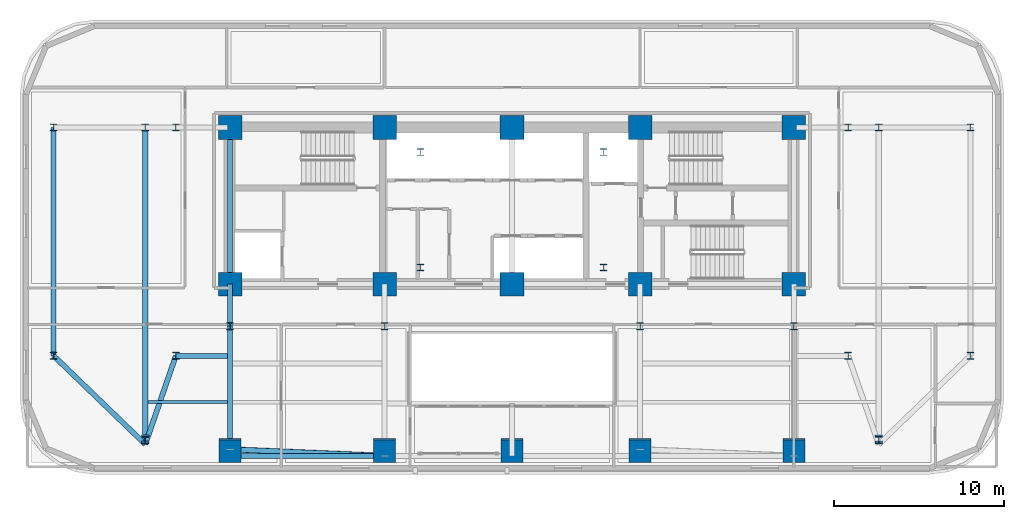
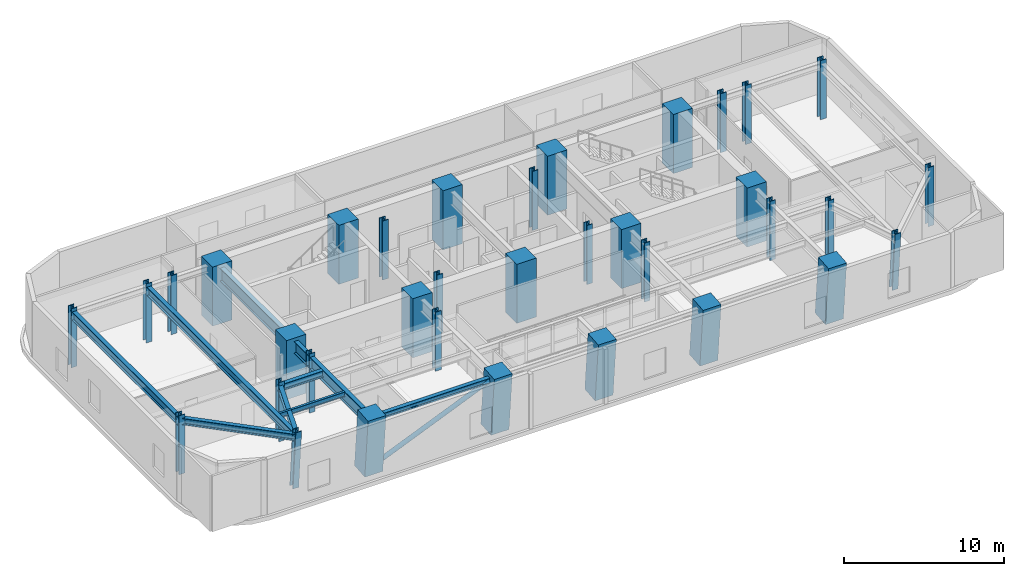
# One storey, part 1 of 14: 35 columns, 10 beams, 1 member.
"""IFC4 building model written with IfcOpenShell, lengths in metres."""

from ifc_helpers import new_model, si_unit, direction, frame, origin, origin_2d, place, context, subcontext, project, spatial, rectangle, hollow_circle, i_section, extrude, material, material_profile, profile_set, type_object, element, save


model = new_model("IFC4")

# Units and contexts
model_context = context("Model", 3, precision=1e-05, world=origin(), true_north=direction((0.0, 1.0)))
body_context = subcontext(model_context, "Body", "Model", "MODEL_VIEW")
ifc_project = project(units=[si_unit("LENGTHUNIT", "METRE"), si_unit("AREAUNIT", "SQUARE_METRE"), si_unit("VOLUMEUNIT", "CUBIC_METRE"), si_unit("PLANEANGLEUNIT", "RADIAN"), si_unit("MASSUNIT", "GRAM", prefix="KILO")], contexts=[model_context])

# Site, building, storey
site_placement = place(None, origin())
site = spatial("IfcSite", under=ifc_project, at=site_placement, CompositionType="ELEMENT")
building_placement = place(site_placement, origin())
building = spatial("IfcBuilding", under=site, at=building_placement, Name="Zarnavel Station Tower", CompositionType="ELEMENT")
storey_placement = place(building_placement, frame((0.0, 0.0, 89.800048828125)))
storey = spatial("IfcBuildingStorey", under=building, at=storey_placement, Name="L24", CompositionType="ELEMENT", Elevation=89.800048828125)

# Columns
ifc_material_1 = material(Name="Steel S460M", Category="steel")
ifc_material_profile_1 = material_profile(ifc_material_1, i_section(OverallWidth=0.41796875, OverallDepth=0.431884765625, WebThickness=0.034912109375, FlangeThickness=0.055908203125, FilletRadius=0.014892578125, at=origin_2d()), Name="HD400x421")
ifc_profile_set_1 = profile_set([ifc_material_profile_1], Name="Steel S460M")
column_type_1 = type_object("IfcColumnType", Name="EC_HD421", PredefinedType="COLUMN", material=ifc_profile_set_1)
for number, where, z_axis, x_axis, name in (
    (1, (1.800048828125, 23.60009765625, 0.0), (0.0, 0.0, 1.0), (1.0, 0.0, 0.0), "L24 Outer Wing South Column 1"),
    (2, (1.800048828125, 37.050048828125, 0.0), (0.0, 0.0, 1.0), (1.0, 0.0, 0.0), "L24 Outer Wing North Column 1"),
):
    element("IfcColumn", number, at=place(storey_placement, frame(where, z_axis=z_axis, x_axis=x_axis)), inside=storey, type_object=column_type_1, Name=name, PredefinedType="COLUMN", context=body_context, shape_type="SweptSolid", body=[
        extrude(i_section(OverallWidth=0.41796875, OverallDepth=0.431884765625, WebThickness=0.034912109375, FlangeThickness=0.055908203125, FilletRadius=0.014892578125, at=origin_2d()), origin(), (0.0, 0.0, 1.0), 4.5),
    ])
for number, where, z_axis, x_axis, name in (
    (3, (7.199951171875, 18.726806640625, 0.0), (0.0, -0.079876337942, 0.996804780605), (1.0, 0.0, 0.0), "L24 Raked Wing Column 2"),
    (4, (50.39990234375, 18.726806640625, 0.0), (0.0, -0.079876337942, 0.996804780605), (1.0, 0.0, 0.0), "L24 Raked Wing Column 3"),
):
    element("IfcColumn", number, at=place(storey_placement, frame(where, z_axis=z_axis, x_axis=x_axis)), inside=storey, type_object=column_type_1, Name=name, PredefinedType="COLUMN", context=body_context, shape_type="SweptSolid", body=[
        extrude(i_section(OverallWidth=0.41796875, OverallDepth=0.431884765625, WebThickness=0.034912109375, FlangeThickness=0.055908203125, FilletRadius=0.014892578125, at=origin_2d()), origin(), (0.0, 0.0, 1.0), 4.514404296875),
    ])
for number, where, z_axis, x_axis, name in (
    (5, (55.800048828125, 23.60009765625, 0.0), (0.0, 0.0, 1.0), (1.0, 0.0, 0.0), "L24 Outer Wing South Column 4"),
    (6, (55.800048828125, 37.050048828125, 0.0), (0.0, 0.0, 1.0), (1.0, 0.0, 0.0), "L24 Outer Wing North Column 4"),
):
    element("IfcColumn", number, at=place(storey_placement, frame(where, z_axis=z_axis, x_axis=x_axis)), inside=storey, type_object=column_type_1, Name=name, PredefinedType="COLUMN", context=body_context, shape_type="SweptSolid", body=[
        extrude(i_section(OverallWidth=0.41796875, OverallDepth=0.431884765625, WebThickness=0.034912109375, FlangeThickness=0.055908203125, FilletRadius=0.014892578125, at=origin_2d()), origin(), (0.0, 0.0, 1.0), 4.5),
    ])
ifc_material_2 = material(Name="Steel S460M", Category="steel")
ifc_material_profile_2 = material_profile(ifc_material_2, i_section(OverallWidth=0.41796875, OverallDepth=0.431884765625, WebThickness=0.034912109375, FlangeThickness=0.055908203125, FilletRadius=0.014892578125, at=origin_2d()), Name="HD400x421")
ifc_profile_set_2 = profile_set([ifc_material_profile_2], Name="Steel S460M")
column_type_2 = type_object("IfcColumnType", Name="IC_HD421", PredefinedType="COLUMN", material=ifc_profile_set_2)
for number, where, z_axis, x_axis, name in (
    (7, (23.39990234375, 28.800048828125, 0.0), (0.0, 0.0, 1.0), (1.0, 0.0, 0.0), "L24 Mast Spine Column 1"),
    (8, (34.199951171875, 28.800048828125, 0.0), (0.0, 0.0, 1.0), (1.0, 0.0, 0.0), "L24 Mast Spine Column 2"),
    (9, (34.199951171875, 35.60009765625, 0.0), (0.0, 0.0, 1.0), (1.0, 0.0, 0.0), "L24 Mast Spine Column 3"),
    (10, (23.39990234375, 35.60009765625, 0.0), (0.0, 0.0, 1.0), (1.0, 0.0, 0.0), "L24 Mast Spine Column 4"),
    (11, (12.199951171875, 25.35009765625, 0.0), (0.0, 0.0, 1.0), (1.0, 0.0, 0.0), "L24 Inner Spine Column 1"),
    (12, (21.300048828125, 25.35009765625, 0.0), (0.0, 0.0, 1.0), (1.0, 0.0, 0.0), "L24 Inner Spine Column 2"),
    (13, (36.35009765625, 25.35009765625, 0.0), (0.0, 0.0, 1.0), (1.0, 0.0, 0.0), "L24 Inner Spine Column 4"),
    (14, (45.39990234375, 25.35009765625, 0.0), (0.0, 0.0, 1.0), (1.0, 0.0, 0.0), "L24 Inner Spine Column 5"),
    (15, (9.0, 23.60009765625, 0.0), (0.0, 0.0, 1.0), (1.0, 0.0, 0.0), "L24 Inner Wing Spine Column 1-1"),
    (16, (9.0, 37.050048828125, 0.0), (0.0, 0.0, 1.0), (1.0, 0.0, 0.0), "L24 Inner Wing Spine Column 1-2"),
    (17, (48.60009765625, 23.60009765625, 0.0), (0.0, 0.0, 1.0), (1.0, 0.0, 0.0), "L24 Inner Wing Spine Column 2-1"),
    (18, (48.60009765625, 37.050048828125, 0.0), (0.0, 0.0, 1.0), (1.0, 0.0, 0.0), "L24 Inner Wing Spine Column 2-2"),
    (19, (7.199951171875, 37.050048828125, 0.0), (0.0, 0.0, 1.0), (1.0, 0.0, 0.0), "L24 Outer Wing North Column 2"),
    (20, (50.39990234375, 37.050048828125, 0.0), (0.0, 0.0, 1.0), (1.0, 0.0, 0.0), "L24 Outer Wing North Column 3"),
):
    element("IfcColumn", number, at=place(storey_placement, frame(where, z_axis=z_axis, x_axis=x_axis)), inside=storey, type_object=column_type_2, Name=name, PredefinedType="COLUMN", context=body_context, shape_type="SweptSolid", body=[
        extrude(i_section(OverallWidth=0.41796875, OverallDepth=0.431884765625, WebThickness=0.034912109375, FlangeThickness=0.055908203125, FilletRadius=0.014892578125, at=origin_2d()), origin(), (0.0, 0.0, 1.0), 4.5),
    ])
ifc_material_3 = material(Name="Concrete C60/75", Category="concrete")
ifc_material_profile_3 = material_profile(ifc_material_3, rectangle(XDim=1.39990234375, YDim=1.39990234375, at=origin_2d()), Name="RC1400x1400")
ifc_profile_set_3 = profile_set([ifc_material_profile_3], Name="Concrete C60/75")
column_type_3 = type_object("IfcColumnType", Name="IC_RC1400", PredefinedType="COLUMN", material=ifc_profile_set_3)
for number, where, z_axis, x_axis, name in (
    (21, (12.199951171875, 27.820068359375, 0.0), (0.0, 0.0, 1.0), (1.0, 0.0, 0.0), "L24 Core Spine Column 1-1"),
    (22, (12.199951171875, 37.050048828125, 0.0), (0.0, 0.0, 1.0), (1.0, 0.0, 0.0), "L24 Core Spine Column 1-2"),
    (23, (21.300048828125, 27.820068359375, 0.0), (0.0, 0.0, 1.0), (1.0, 0.0, 0.0), "L24 Core Spine Column 2-1"),
    (24, (21.300048828125, 37.050048828125, 0.0), (0.0, 0.0, 1.0), (1.0, 0.0, 0.0), "L24 Core Spine Column 2-2"),
    (25, (28.800048828125, 27.820068359375, 0.0), (0.0, 0.0, 1.0), (1.0, 0.0, 0.0), "L24 Core Spine Column 3-1"),
    (26, (28.800048828125, 37.050048828125, 0.0), (0.0, 0.0, 1.0), (1.0, 0.0, 0.0), "L24 Core Spine Column 3-2"),
    (27, (36.35009765625, 27.820068359375, 0.0), (0.0, 0.0, 1.0), (1.0, 0.0, 0.0), "L24 Core Spine Column 4-1"),
    (28, (36.35009765625, 37.050048828125, 0.0), (0.0, 0.0, 1.0), (1.0, 0.0, 0.0), "L24 Core Spine Column 4-2"),
    (29, (45.39990234375, 27.820068359375, 0.0), (0.0, 0.0, 1.0), (1.0, 0.0, 0.0), "L24 Core Spine Column 5-1"),
    (30, (45.39990234375, 37.050048828125, 0.0), (0.0, 0.0, 1.0), (1.0, 0.0, 0.0), "L24 Core Spine Column 5-2"),
):
    element("IfcColumn", number, at=place(storey_placement, frame(where, z_axis=z_axis, x_axis=x_axis)), inside=storey, type_object=column_type_3, Name=name, PredefinedType="COLUMN", context=body_context, shape_type="SweptSolid", body=[
        extrude(rectangle(XDim=1.39990234375, YDim=1.39990234375, at=origin_2d()), origin(), (0.0, 0.0, 1.0), 4.5),
    ])
ifc_material_4 = material(Name="Concrete C60/75", Category="concrete")
ifc_material_profile_4 = material_profile(ifc_material_4, rectangle(XDim=1.300048828125, YDim=1.300048828125, at=origin_2d()), Name="RC1300x1300")
ifc_profile_set_4 = profile_set([ifc_material_profile_4], Name="Concrete C60/75")
column_type_4 = type_object("IfcColumnType", Name="MC_RC1300", PredefinedType="COLUMN", material=ifc_profile_set_4)
for number, where, z_axis, x_axis, name in (
    (31, (12.199951171875, 18.09033203125, 0.0), (0.0, -0.090233693293, 0.995920619625), (1.0, 0.0, 0.0), "L24 Raked South Mega-Column 1"),
    (32, (21.300048828125, 18.09033203125, 0.0), (0.0, -0.090233693293, 0.995920619625), (1.0, 0.0, 0.0), "L24 Raked South Mega-Column 2"),
    (33, (28.800048828125, 18.09033203125, 0.0), (0.0, -0.090233693293, 0.995920619625), (1.0, 0.0, 0.0), "L24 Raked South Mega-Column 3"),
    (34, (36.35009765625, 18.09033203125, 0.0), (0.0, -0.090233693293, 0.995920619625), (1.0, 0.0, 0.0), "L24 Raked South Mega-Column 4"),
    (35, (45.39990234375, 18.09033203125, 0.0), (0.0, -0.090233693293, 0.995920619625), (1.0, 0.0, 0.0), "L24 Raked South Mega-Column 5"),
):
    element("IfcColumn", number, at=place(storey_placement, frame(where, z_axis=z_axis, x_axis=x_axis)), inside=storey, type_object=column_type_4, Name=name, PredefinedType="COLUMN", context=body_context, shape_type="SweptSolid", body=[
        extrude(rectangle(XDim=1.300048828125, YDim=1.300048828125, at=origin_2d()), origin(), (0.0, 0.0, 1.0), 4.518310546875),
    ])

# Member
ifc_material_5 = material(Name="Steel S355J2", Category="steel")
ifc_material_profile_5 = material_profile(ifc_material_5, hollow_circle(Radius=0.161865234375, WallThickness=0.012451171875, at=origin_2d()), Name="CHS323.9x12.5")
ifc_profile_set_5 = profile_set([ifc_material_profile_5], Name="Steel S355J2")
member_type = type_object("IfcMemberType", Name="DB_EXT_CHS324", PredefinedType="BRACE", material=ifc_profile_set_5)
member_placement = place(storey_placement, frame((12.199951171875, 18.09033203125, 0.0), z_axis=(0.905776262084, -0.038248962723, 0.422026515631), x_axis=(0.042190226541, 0.999109595983, 0.0)))
element("IfcMember", 36, at=member_placement, inside=storey, type_object=member_type, Name="L24 Persian Exterior Diagonal Frame Brace 1", PredefinedType="BRACE", context=body_context, shape_type="SweptSolid", body=[
    extrude(hollow_circle(Radius=0.161865234375, WallThickness=0.012451171875, at=origin_2d()), origin(), (0.0, 0.0, 1.0), 10.046630859375),
])

# Beams
ifc_material_6 = material(Name="Steel S355J2", Category="steel")
ifc_material_profile_6 = material_profile(ifc_material_6, i_section(OverallWidth=0.300048828125, OverallDepth=0.39990234375, WebThickness=0.013427734375, FlangeThickness=0.02392578125, FilletRadius=0.027099609375, at=origin_2d()), Name="HEB400")
ifc_profile_set_6 = profile_set([ifc_material_profile_6], Name="Steel S355J2")
beam_type_1 = type_object("IfcBeamType", Name="EB_HEB400", PredefinedType="SPANDREL", material=ifc_profile_set_6)
beam_1_placement = place(storey_placement, frame((12.199951171875, 17.7060546875, 4.0400390625), z_axis=(1.0, 0.0, 0.0), x_axis=(0.0, 1.0, 0.0)))
element("IfcBeam", 37, at=beam_1_placement, inside=storey, type_object=beam_type_1, Name="L24 South Raked Spandrel 1", PredefinedType="SPANDREL", context=body_context, shape_type="SweptSolid", body=[
    extrude(i_section(OverallWidth=0.300048828125, OverallDepth=0.39990234375, WebThickness=0.013427734375, FlangeThickness=0.02392578125, FilletRadius=0.027099609375, at=origin_2d()), origin(), (0.0, 0.0, 1.0), 9.10009765625),
])
ifc_material_7 = material(Name="Steel S355J2", Category="steel")
ifc_material_profile_7 = material_profile(ifc_material_7, i_section(OverallWidth=0.300048828125, OverallDepth=0.5, WebThickness=0.014404296875, FlangeThickness=0.028076171875, FilletRadius=0.027099609375, at=origin_2d()), Name="HEB500")
ifc_profile_set_7 = profile_set([ifc_material_profile_7], Name="Steel S355J2")
beam_type_2 = type_object("IfcBeamType", Name="FG_HEB500", PredefinedType="USERDEFINED", material=ifc_profile_set_7)
beam_2_placement = place(storey_placement, frame((1.800048828125, 23.60009765625, 3.989990234375), z_axis=(0.719455264847, -0.694538783571, 0.0), x_axis=(0.694538783571, 0.719455264847, 0.0)))
element("IfcBeam", 38, at=beam_2_placement, inside=storey, type_object=beam_type_2, Name="L24 West Wing South Tie 1", ObjectType="GIRDER", PredefinedType="USERDEFINED", context=body_context, shape_type="SweptSolid", body=[
    extrude(i_section(OverallWidth=0.300048828125, OverallDepth=0.5, WebThickness=0.014404296875, FlangeThickness=0.028076171875, FilletRadius=0.027099609375, at=origin_2d()), origin(), (0.0, 0.0, 1.0), 7.505615234375),
])
beam_3_placement = place(storey_placement, frame((7.199951171875, 18.38720703125, 3.989990234375), z_axis=(0.326395849439, 0.94523317201, 0.0), x_axis=(-0.94523317201, 0.326395849439, 0.0)))
element("IfcBeam", 39, at=beam_3_placement, inside=storey, type_object=beam_type_2, Name="L24 West Wing South Tie 2", ObjectType="GIRDER", PredefinedType="USERDEFINED", context=body_context, shape_type="SweptSolid", body=[
    extrude(i_section(OverallWidth=0.300048828125, OverallDepth=0.5, WebThickness=0.014404296875, FlangeThickness=0.028076171875, FilletRadius=0.027099609375, at=origin_2d()), origin(), (0.0, 0.0, 1.0), 5.514892578125),
])
beam_4_placement = place(storey_placement, frame((9.0, 23.60009765625, 3.989990234375), z_axis=(1.0, 0.0, 0.0), x_axis=(0.0, 1.0, 0.0)))
element("IfcBeam", 40, at=beam_4_placement, inside=storey, type_object=beam_type_2, Name="L24 West Wing South Tie 3", ObjectType="GIRDER", PredefinedType="USERDEFINED", context=body_context, shape_type="SweptSolid", body=[
    extrude(i_section(OverallWidth=0.300048828125, OverallDepth=0.5, WebThickness=0.014404296875, FlangeThickness=0.028076171875, FilletRadius=0.027099609375, at=origin_2d()), origin(), (0.0, 0.0, 1.0), 3.054931640625),
])
ifc_material_8 = material(Name="Steel S355J2", Category="steel")
ifc_material_profile_8 = material_profile(ifc_material_8, i_section(OverallWidth=0.300048828125, OverallDepth=0.64990234375, WebThickness=0.01611328125, FlangeThickness=0.031005859375, FilletRadius=0.027099609375, at=origin_2d()), Name="HEB650")
ifc_profile_set_8 = profile_set([ifc_material_profile_8], Name="Steel S355J2")
beam_type_3 = type_object("IfcBeamType", Name="FG_HEB650", PredefinedType="USERDEFINED", material=ifc_profile_set_8)
beam_5_placement = place(storey_placement, frame((1.800048828125, 23.60009765625, 3.9150390625), z_axis=(0.0, 1.0, 0.0), x_axis=(-1.0, 0.0, 0.0)))
element("IfcBeam", 41, at=beam_5_placement, inside=storey, type_object=beam_type_3, Name="L24 Wing NS Girder 1", ObjectType="GIRDER", PredefinedType="USERDEFINED", context=body_context, shape_type="SweptSolid", body=[
    extrude(i_section(OverallWidth=0.300048828125, OverallDepth=0.64990234375, WebThickness=0.01611328125, FlangeThickness=0.031005859375, FilletRadius=0.027099609375, at=origin_2d()), origin(), (0.0, 0.0, 1.0), 13.449951171875),
])
beam_6_placement = place(storey_placement, frame((7.199951171875, 18.38720703125, 3.9150390625), z_axis=(0.0, 1.0, 0.0), x_axis=(-1.0, 0.0, 0.0)))
element("IfcBeam", 42, at=beam_6_placement, inside=storey, type_object=beam_type_3, Name="L24 Wing NS Girder 2", ObjectType="GIRDER", PredefinedType="USERDEFINED", context=body_context, shape_type="SweptSolid", body=[
    extrude(i_section(OverallWidth=0.300048828125, OverallDepth=0.64990234375, WebThickness=0.01611328125, FlangeThickness=0.031005859375, FilletRadius=0.027099609375, at=origin_2d()), origin(), (0.0, 0.0, 1.0), 18.662841796875),
])
ifc_material_9 = material(Name="Steel S355J2", Category="steel")
ifc_material_profile_9 = material_profile(ifc_material_9, i_section(OverallWidth=0.169921875, OverallDepth=0.360107421875, WebThickness=0.008056640625, FlangeThickness=0.0126953125, FilletRadius=0.01806640625, at=origin_2d()), Name="IPE360")
ifc_profile_set_9 = profile_set([ifc_material_profile_9], Name="Steel S355J2")
beam_type_4 = type_object("IfcBeamType", Name="FJ_IPE360", PredefinedType="JOIST", material=ifc_profile_set_9)
beam_7_placement = place(storey_placement, frame((7.344970703125, 20.87060546875, 4.06005859375), z_axis=(1.0, 0.0, 0.0), x_axis=(0.0, 1.0, 0.0)))
element("IfcBeam", 43, at=beam_7_placement, inside=storey, type_object=beam_type_4, Name="L24 West Wing Joist 1", PredefinedType="JOIST", context=body_context, shape_type="SweptSolid", body=[
    extrude(i_section(OverallWidth=0.169921875, OverallDepth=0.360107421875, WebThickness=0.008056640625, FlangeThickness=0.0126953125, FilletRadius=0.01806640625, at=origin_2d()), origin(), (0.0, 0.0, 1.0), 4.7099609375),
])
ifc_material_10 = material(Name="Steel S460M", Category="steel")
ifc_material_profile_10 = material_profile(ifc_material_10, i_section(OverallWidth=0.302001953125, OverallDepth=1.008056640625, WebThickness=0.02099609375, FlangeThickness=0.0400390625, FilletRadius=0.030029296875, at=origin_2d()), Name="HEM1000")
ifc_profile_set_10 = profile_set([ifc_material_profile_10], Name="Steel S460M")
beam_type_5 = type_object("IfcBeamType", Name="TG_HEM1000", PredefinedType="USERDEFINED", material=ifc_profile_set_10)
beam_8_placement = place(storey_placement, frame((12.199951171875, 27.820068359375, 3.73583984375), z_axis=(0.0, 1.0, 0.0), x_axis=(-1.0, 0.0, 0.0)))
element("IfcBeam", 44, at=beam_8_placement, inside=storey, type_object=beam_type_5, Name="L24 Core Spine Coupling Girder 1", ObjectType="GIRDER", PredefinedType="USERDEFINED", context=body_context, shape_type="SweptSolid", body=[
    extrude(i_section(OverallWidth=0.302001953125, OverallDepth=1.008056640625, WebThickness=0.02099609375, FlangeThickness=0.0400390625, FilletRadius=0.030029296875, at=origin_2d()), origin(), (0.0, 0.0, 1.0), 9.22998046875),
])
ifc_material_11 = material(Name="Steel S460M", Category="steel")
ifc_material_profile_11 = material_profile(ifc_material_11, i_section(OverallWidth=0.302001953125, OverallDepth=0.909912109375, WebThickness=0.02099609375, FlangeThickness=0.0400390625, FilletRadius=0.030029296875, at=origin_2d()), Name="HEM900")
ifc_profile_set_11 = profile_set([ifc_material_profile_11], Name="Steel S460M")
beam_type_6 = type_object("IfcBeamType", Name="TG_HEM900", PredefinedType="USERDEFINED", material=ifc_profile_set_11)
beam_9_placement = place(storey_placement, frame((12.199951171875, 17.7060546875, 3.784912109375), z_axis=(0.0, 1.0, 0.0), x_axis=(-1.0, 0.0, 0.0)))
element("IfcBeam", 45, at=beam_9_placement, inside=storey, type_object=beam_type_6, Name="L24 South-Zone NS Girder 1", ObjectType="GIRDER", PredefinedType="USERDEFINED", context=body_context, shape_type="SweptSolid", body=[
    extrude(i_section(OverallWidth=0.302001953125, OverallDepth=0.909912109375, WebThickness=0.02099609375, FlangeThickness=0.0400390625, FilletRadius=0.030029296875, at=origin_2d()), origin(), (0.0, 0.0, 1.0), 7.64404296875),
])
beam_10_placement = place(storey_placement, frame((12.199951171875, 25.35009765625, 3.784912109375), z_axis=(0.0, 1.0, 0.0), x_axis=(-1.0, 0.0, 0.0)))
element("IfcBeam", 46, at=beam_10_placement, inside=storey, type_object=beam_type_6, Name="L24 Inner-Zone NS Girder 1", ObjectType="GIRDER", PredefinedType="USERDEFINED", context=body_context, shape_type="SweptSolid", body=[
    extrude(i_section(OverallWidth=0.302001953125, OverallDepth=0.909912109375, WebThickness=0.02099609375, FlangeThickness=0.0400390625, FilletRadius=0.030029296875, at=origin_2d()), origin(), (0.0, 0.0, 1.0), 2.469970703125),
])

save(model, "model.ifc")
